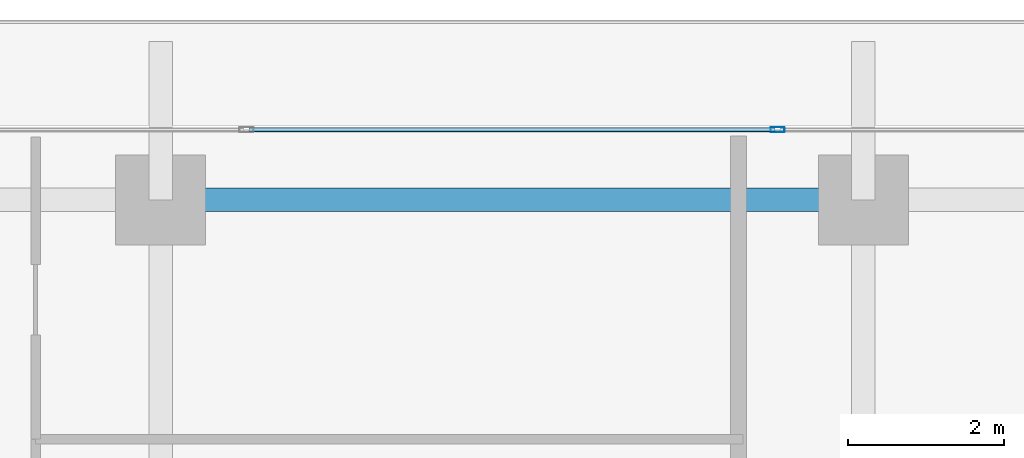
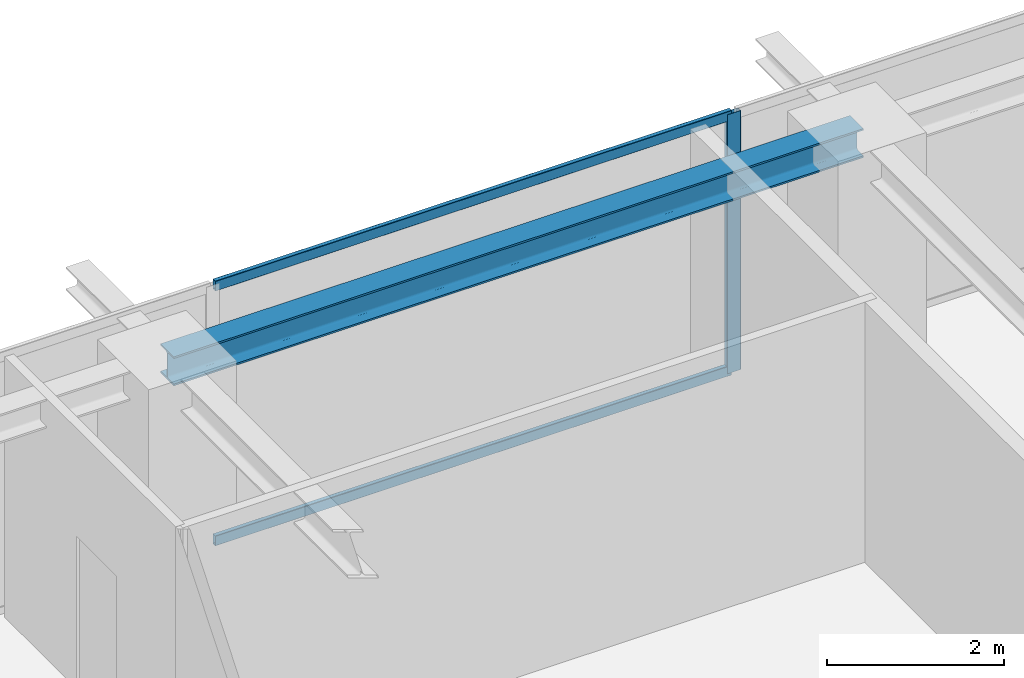
# One storey, part 19 of 35: 3 members, 1 beam, 1 element without a shape of its own.
"""IFC4 building model written with IfcOpenShell, lengths in metres."""

from ifc_helpers import new_model, si_unit, direction, frame, origin, origin_2d, place, context, subcontext, project, spatial, hollow_rectangle, i_section, extrude, source, transform, mapped, material, layer, layer_set, material_profile, profile_set, type_object, element, aggregate, save


model = new_model("IFC4")

# Units and contexts
model_context = context("Model", 3, precision=1e-05, world=origin(), true_north=direction((0.0, 1.0)))
body_context = subcontext(model_context, "Body", "Model", "MODEL_VIEW")
ifc_project = project(units=[si_unit("LENGTHUNIT", "METRE"), si_unit("AREAUNIT", "SQUARE_METRE"), si_unit("VOLUMEUNIT", "CUBIC_METRE"), si_unit("PLANEANGLEUNIT", "RADIAN"), si_unit("MASSUNIT", "GRAM", prefix="KILO")], contexts=[model_context])

# Site, building, storey
site_placement = place(None, origin())
site = spatial("IfcSite", under=ifc_project, at=site_placement, CompositionType="ELEMENT")
building_placement = place(site_placement, origin())
building = spatial("IfcBuilding", under=site, at=building_placement, Name="Serunith Strait Residences", CompositionType="ELEMENT")
storey_placement = place(building_placement, frame((0.0, 0.0, 210.449951171875)))
storey = spatial("IfcBuildingStorey", under=building, at=storey_placement, Name="L52", CompositionType="ELEMENT", Elevation=210.449951171875)

# Beam
ifc_material_1 = material(Name="Steel S355J2", Category="steel")
ifc_material_profile_1 = material_profile(ifc_material_1, i_section(OverallWidth=0.300048828125, OverallDepth=0.39990234375, WebThickness=0.013427734375, FlangeThickness=0.02392578125, FilletRadius=0.027099609375, at=origin_2d()), Name="HEB 400")
ifc_profile_set_1 = profile_set([ifc_material_profile_1], Name="Steel S355J2")
beam_type = type_object("IfcBeamType", Name="BM-HEB400", PredefinedType="BEAM", material=ifc_profile_set_1)
shared_shape_1 = source(origin(), body_context, "Body", "SweptSolid", [
    extrude(i_section(OverallWidth=0.300048828125, OverallDepth=0.39990234375, WebThickness=0.013427734375, FlangeThickness=0.02392578125, FilletRadius=0.027099609375, at=origin_2d()), origin(), (0.0, 0.0, 1.0), 9.0),
])
beam_placement = place(storey_placement, frame((36.89990234375, 48.300048828125, 3.386962890625), z_axis=(-1.0, 0.0, 0.0), x_axis=(0.0, -1.0, 0.0)))
element("IfcBeam", 1, at=beam_placement, inside=storey, type_object=beam_type, Name="L52 Perimeter Ring Beam 10", PredefinedType="BEAM", context=body_context, shape_type="MappedRepresentation", body=[
    mapped(shared_shape_1, transform((0.0, 0.0, 0.0), scale=1.0)),
])

# Curtain wall, members
ifc_material_2 = material(Name="Pale-Champagne Anodised Aluminium", Category="aluminium")
ifc_layer = layer(ifc_material_2, 0.199951171875, Name="Pale-Champagne Anodised Aluminium")
ifc_layer_set = layer_set([ifc_layer], Name="Pale-Champagne Anodised Aluminium")
curtain_wall_type = type_object("IfcCurtainWallType", Name="CW-SYS4", PredefinedType="NOTDEFINED", material=ifc_layer_set)
curtain_wall_placement = place(storey_placement, origin())
curtain_wall = element("IfcCurtainWall", 2, at=curtain_wall_placement, inside=storey, type_object=curtain_wall_type, Name="L52 N Unitised Fritted Curtain Wall", PredefinedType="NOTDEFINED")
ifc_material_profile_2 = material_profile(ifc_material_2, hollow_rectangle(XDim=0.06494140625, YDim=0.179931640625, WallThickness=0.00341796875, InnerFilletRadius=0.00537109375, OuterFilletRadius=0.0087890625, at=origin_2d()), Name="ALU 180x65x3.5")
ifc_profile_set_2 = profile_set([ifc_material_profile_2], Name="Pale-Champagne Anodised Aluminium")
member_type_1 = type_object("IfcMemberType", Name="CW-SYS4-MULL", PredefinedType="MULLION", material=ifc_profile_set_2)
shared_shape_2 = source(origin(), body_context, "Body", "SweptSolid", [
    extrude(hollow_rectangle(XDim=0.06494140625, YDim=0.179931640625, WallThickness=0.00341796875, InnerFilletRadius=0.00537109375, OuterFilletRadius=0.0087890625, at=origin_2d()), origin(), (0.0, 0.0, 1.0), 3.574951171875),
])
member_1_placement = place(storey_placement, frame((35.800048828125, 49.199951171875, 0.0), z_axis=(0.0, 0.0, 1.0), x_axis=(0.0, -1.0, 0.0)))
member_1 = element("IfcMember", 3, at=member_1_placement, type_object=member_type_1, Name="CW-4 mullion 3", PredefinedType="MULLION", context=body_context, shape_type="MappedRepresentation", body=[
    mapped(shared_shape_2, transform((0.0, 0.0, 0.0), scale=1.0)),
])
ifc_material_profile_3 = material_profile(ifc_material_2, hollow_rectangle(XDim=0.06005859375, YDim=0.139892578125, WallThickness=0.00341796875, InnerFilletRadius=0.00537109375, OuterFilletRadius=0.0087890625, at=origin_2d()), Name="ALU 140x60x3.5")
ifc_profile_set_3 = profile_set([ifc_material_profile_3], Name="Pale-Champagne Anodised Aluminium")
member_type_2 = type_object("IfcMemberType", Name="CW-SYS4-TRAN", PredefinedType="USERDEFINED", material=ifc_profile_set_3)
shared_shape_3 = source(origin(), body_context, "Body", "SweptSolid", [
    extrude(hollow_rectangle(XDim=0.06005859375, YDim=0.139892578125, WallThickness=0.00341796875, InnerFilletRadius=0.00537109375, OuterFilletRadius=0.0087890625, at=origin_2d()), origin(), (0.0, 0.0, 1.0), 6.735107421875),
])
member_2_placement = place(storey_placement, frame((35.767578125, 49.199951171875, 0.030029296875), z_axis=(-1.0, 0.0, 0.0), x_axis=(0.0, -1.0, 0.0)))
member_2 = element("IfcMember", 4, at=member_2_placement, type_object=member_type_2, Name="CW-4 transom 3.1", ObjectType="TRANSOM", PredefinedType="USERDEFINED", context=body_context, shape_type="MappedRepresentation", body=[
    mapped(shared_shape_3, transform((0.0, 0.0, 0.0), scale=1.0)),
])
member_3_placement = place(storey_placement, frame((35.767578125, 49.199951171875, 3.545166015625), z_axis=(-1.0, 0.0, 0.0), x_axis=(0.0, -1.0, 0.0)))
member_3 = element("IfcMember", 5, at=member_3_placement, type_object=member_type_2, Name="CW-4 transom 3.2", ObjectType="TRANSOM", PredefinedType="USERDEFINED", context=body_context, shape_type="MappedRepresentation", body=[
    mapped(shared_shape_3, transform((0.0, 0.0, 0.0), scale=1.0)),
])
aggregate(curtain_wall, [member_1, member_2, member_3])

save(model, "model.ifc")
